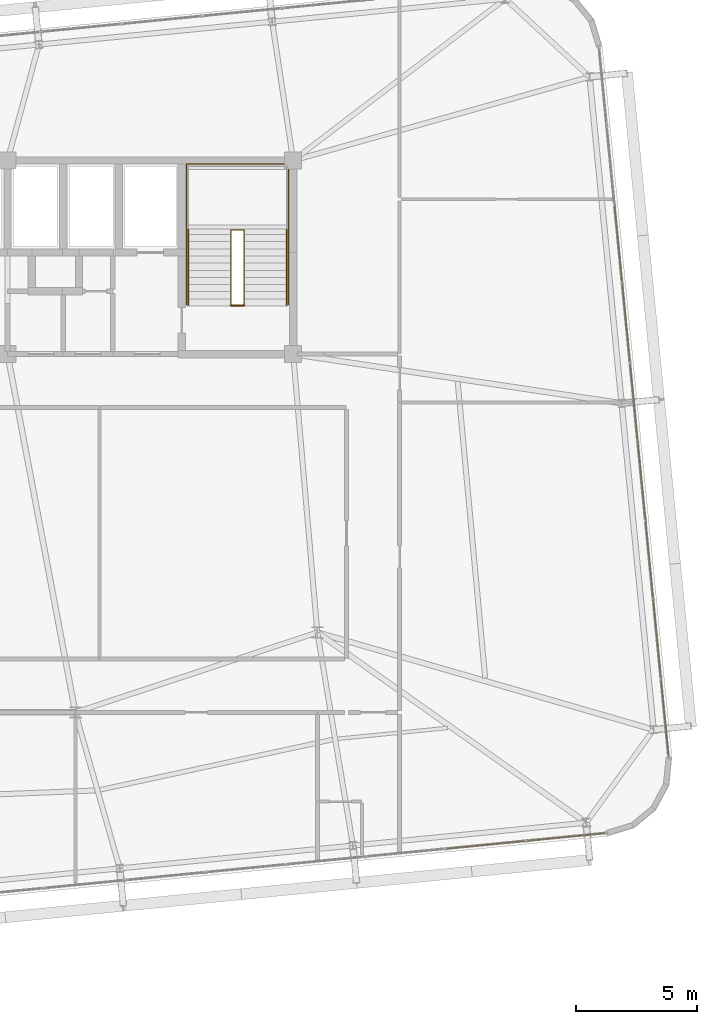
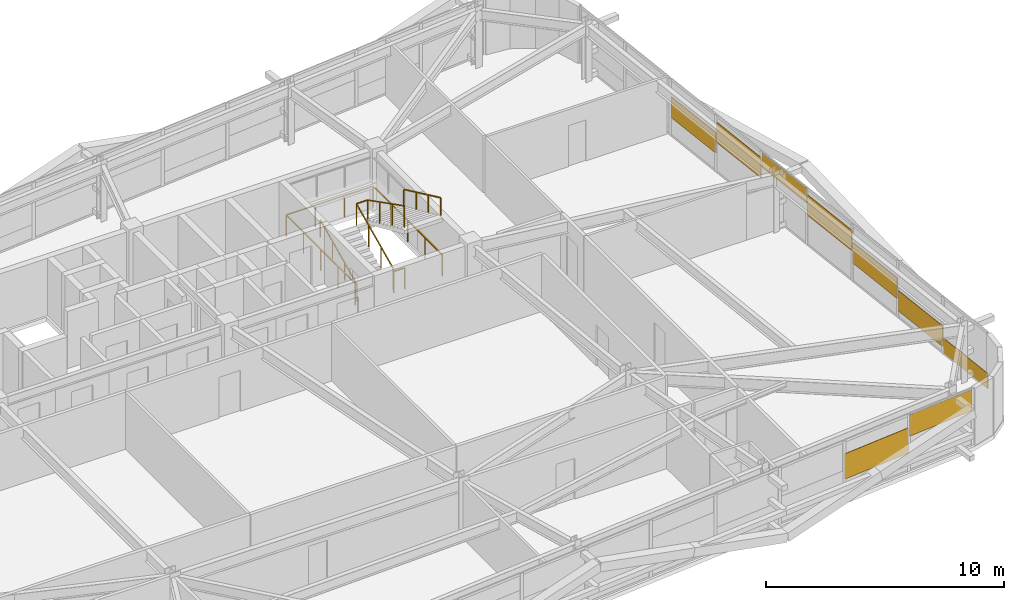
# One storey, part 52 of 53: 9 coverings, 5 railings.
"""IFC4 building model written with IfcOpenShell, lengths in metres."""

from ifc_helpers import new_model, si_unit, direction, frame, origin, origin_2d, place, context, subcontext, project, spatial, rectangle, extrude, source, transform, mapped, material, layer, layer_set, type_object, element, save


model = new_model("IFC4")

# Units and contexts
model_context = context("Model", 3, precision=1e-05, world=origin(), true_north=direction((0.0, 1.0)))
body_context = subcontext(model_context, "Body", "Model", "MODEL_VIEW")
ifc_project = project(units=[si_unit("LENGTHUNIT", "METRE"), si_unit("AREAUNIT", "SQUARE_METRE"), si_unit("VOLUMEUNIT", "CUBIC_METRE"), si_unit("PLANEANGLEUNIT", "RADIAN"), si_unit("MASSUNIT", "GRAM", prefix="KILO")], contexts=[model_context])

# Site, building, storey
site_placement = place(None, origin())
site = spatial("IfcSite", under=ifc_project, at=site_placement, CompositionType="ELEMENT")
building_placement = place(site_placement, origin())
building = spatial("IfcBuilding", under=site, at=building_placement, Name="Taldren Reach Tower", CompositionType="ELEMENT")
storey_placement = place(building_placement, frame((0.0, 0.0, 80.85009765625)))
storey = spatial("IfcBuildingStorey", under=building, at=storey_placement, Name="L24", CompositionType="ELEMENT", Elevation=80.85009765625)

# Railings
ifc_material_1 = material(Name="Steel Gr 350 (C350L0)", Category="steel")
ifc_layer_1 = layer(ifc_material_1, 0.050048828125)
ifc_layer_set_1 = layer_set([ifc_layer_1], Name="Steel Gr 350 (C350L0)")
railing_type_1 = type_object("IfcRailingType", Name="RL-STAIR-GR", PredefinedType="GUARDRAIL", material=ifc_layer_set_1)
railing_1_placement = place(storey_placement, frame((48.429931640625, 26.050048828125, 0.131103515625)))
element("IfcRailing", 1, at=railing_1_placement, inside=storey, type_object=railing_type_1, Name="Stairwell inner guard ST2-L24", PredefinedType="GUARDRAIL", context=body_context, shape_type="SweptSolid", body=[
    extrude(rectangle(XDim=0.047852, YDim=0.047852, at=origin_2d()), frame((0.0, 0.0, 1.09619140625), z_axis=(0.0, 0.905710134349, 0.423897573167), x_axis=(-1.0, 0.0, 0.0)), (0.0, 0.0, 1.0), 3.406005859375),
    extrude(rectangle(XDim=0.047852, YDim=0.047852, at=origin_2d()), frame((0.0, 3.0849609375, 2.5400390625), z_axis=(1.0, 0.0, 0.0), x_axis=(0.0, 1.0, 0.0)), (0.0, 0.0, 1.0), 0.5400390625),
    extrude(rectangle(XDim=0.047852, YDim=0.047852, at=origin_2d()), frame((0.5400390625, 3.0849609375, 2.5400390625), z_axis=(0.0, -0.890645957773, 0.45469745755), x_axis=(1.0, 0.0, 0.0)), (0.0, 0.0, 1.0), 3.463623046875),
    extrude(rectangle(XDim=0.041992, YDim=0.041992, at=origin_2d()), origin(), (0.0, 0.0, 1.0), 1.072021484375),
    extrude(rectangle(XDim=0.041992, YDim=0.041992, at=origin_2d()), frame((0.0, 1.0283203125, 0.481201171875)), (0.0, 0.0, 1.0), 1.072021484375),
    extrude(rectangle(XDim=0.041992, YDim=0.041992, at=origin_2d()), frame((0.0, 2.056640625, 0.962646484375)), (0.0, 0.0, 1.0), 1.072021484375),
    extrude(rectangle(XDim=0.041992, YDim=0.041992, at=origin_2d()), frame((0.0, 3.0849609375, 1.44384765625)), (0.0, 0.0, 1.0), 1.072021484375),
    extrude(rectangle(XDim=0.041992, YDim=0.041992, at=origin_2d()), frame((0.5400390625, 3.0849609375, 1.44384765625)), (0.0, 0.0, 1.0), 1.072021484375),
    extrude(rectangle(XDim=0.041992, YDim=0.041992, at=origin_2d()), frame((0.5400390625, 2.056640625, 1.96875)), (0.0, 0.0, 1.0), 1.072021484375),
    extrude(rectangle(XDim=0.041992, YDim=0.041992, at=origin_2d()), frame((0.5400390625, 1.0283203125, 2.493896484375)), (0.0, 0.0, 1.0), 1.072021484375),
    extrude(rectangle(XDim=0.041992, YDim=0.041992, at=origin_2d()), frame((0.5400390625, 0.0, 3.018798828125)), (0.0, 0.0, 1.0), 1.072021484375),
])
railing_2_placement = place(storey_placement, frame((48.429931640625, 26.010009765625, 0.0)))
element("IfcRailing", 2, at=railing_2_placement, inside=storey, type_object=railing_type_1, Name="Stairwell landing slot guard ST2-L24", PredefinedType="GUARDRAIL", context=body_context, shape_type="SweptSolid", body=[
    extrude(rectangle(XDim=0.047852, YDim=0.047852, at=origin_2d()), frame((0.0, 0.0, 1.09619140625), z_axis=(1.0, 0.0, 0.0), x_axis=(0.0, 1.0, 0.0)), (0.0, 0.0, 1.0), 0.5400390625),
    extrude(rectangle(XDim=0.041992, YDim=0.041992, at=origin_2d()), origin(), (0.0, 0.0, 1.0), 1.072021484375),
    extrude(rectangle(XDim=0.041992, YDim=0.041992, at=origin_2d()), frame((0.5400390625, 0.0, 0.0)), (0.0, 0.0, 1.0), 1.072021484375),
])
railing_3_placement = place(storey_placement, frame((46.590087890625, 26.050048828125, 0.0)))
element("IfcRailing", 3, at=railing_3_placement, inside=storey, type_object=railing_type_1, Name="Stairwell floor opening guard ST2-L24", PredefinedType="GUARDRAIL", context=body_context, shape_type="SweptSolid", body=[
    extrude(rectangle(XDim=0.047852, YDim=0.047852, at=origin_2d()), frame((0.0, 0.0, 1.09619140625), z_axis=(0.0, 1.0, 0.0), x_axis=(-1.0, 0.0, 0.0)), (0.0, 0.0, 1.0), 5.800048828125),
    extrude(rectangle(XDim=0.047852, YDim=0.047852, at=origin_2d()), frame((0.0, 5.800048828125, 1.09619140625), z_axis=(1.0, 0.0, 0.0), x_axis=(0.0, 1.0, 0.0)), (0.0, 0.0, 1.0), 4.219970703125),
    extrude(rectangle(XDim=0.047852, YDim=0.047852, at=origin_2d()), frame((4.219970703125, 5.800048828125, 1.09619140625), z_axis=(0.0, -1.0, 0.0), x_axis=(1.0, 0.0, 0.0)), (0.0, 0.0, 1.0), 5.800048828125),
    extrude(rectangle(XDim=0.041992, YDim=0.041992, at=origin_2d()), origin(), (0.0, 0.0, 1.0), 1.072021484375),
    extrude(rectangle(XDim=0.041992, YDim=0.041992, at=origin_2d()), frame((0.0, 1.449951171875, 0.0)), (0.0, 0.0, 1.0), 1.072021484375),
    extrude(rectangle(XDim=0.041992, YDim=0.041992, at=origin_2d()), frame((0.0, 2.89990234375, 0.0)), (0.0, 0.0, 1.0), 1.072021484375),
    extrude(rectangle(XDim=0.041992, YDim=0.041992, at=origin_2d()), frame((0.0, 4.35009765625, 0.0)), (0.0, 0.0, 1.0), 1.072021484375),
    extrude(rectangle(XDim=0.041992, YDim=0.041992, at=origin_2d()), frame((0.0, 5.800048828125, 0.0)), (0.0, 0.0, 1.0), 1.072021484375),
    extrude(rectangle(XDim=0.041992, YDim=0.041992, at=origin_2d()), frame((1.40673828125, 5.800048828125, 0.0)), (0.0, 0.0, 1.0), 1.072021484375),
    extrude(rectangle(XDim=0.041992, YDim=0.041992, at=origin_2d()), frame((2.813232421875, 5.800048828125, 0.0)), (0.0, 0.0, 1.0), 1.072021484375),
    extrude(rectangle(XDim=0.041992, YDim=0.041992, at=origin_2d()), frame((4.219970703125, 5.800048828125, 0.0)), (0.0, 0.0, 1.0), 1.072021484375),
    extrude(rectangle(XDim=0.041992, YDim=0.041992, at=origin_2d()), frame((4.219970703125, 4.35009765625, 0.0)), (0.0, 0.0, 1.0), 1.072021484375),
    extrude(rectangle(XDim=0.041992, YDim=0.041992, at=origin_2d()), frame((4.219970703125, 2.89990234375, 0.0)), (0.0, 0.0, 1.0), 1.072021484375),
    extrude(rectangle(XDim=0.041992, YDim=0.041992, at=origin_2d()), frame((4.219970703125, 1.449951171875, 0.0)), (0.0, 0.0, 1.0), 1.072021484375),
    extrude(rectangle(XDim=0.041992, YDim=0.041992, at=origin_2d()), frame((4.219970703125, 0.0, 0.0)), (0.0, 0.0, 1.0), 1.072021484375),
])
ifc_material_2 = material(Name="Stainless Steel Gr 316", Category="steel")
ifc_layer_2 = layer(ifc_material_2, 0.048095703125)
ifc_layer_set_2 = layer_set([ifc_layer_2], Name="Stainless Steel Gr 316")
railing_type_2 = type_object("IfcRailingType", Name="RL-STAIR-HR", PredefinedType="HANDRAIL", material=ifc_layer_set_2)
railing_4_placement = place(storey_placement, frame((46.669921875, 26.050048828125, 0.131103515625)))
element("IfcRailing", 4, at=railing_4_placement, inside=storey, type_object=railing_type_2, Name="Stair flight handrail ST2-L24-1", PredefinedType="HANDRAIL", context=body_context, shape_type="SweptSolid", body=[
    extrude(rectangle(XDim=0.047852, YDim=0.047852, at=origin_2d()), frame((0.0, 0.0, 0.89599609375), z_axis=(0.0, 0.905710134349, 0.423897573167), x_axis=(-1.0, 0.0, 0.0)), (0.0, 0.0, 1.0), 3.406005859375),
    extrude(rectangle(XDim=0.041992, YDim=0.041992, at=origin_2d()), origin(), (0.0, 0.0, 1.0), 0.871826171875),
    extrude(rectangle(XDim=0.041992, YDim=0.041992, at=origin_2d()), frame((0.0, 1.0283203125, 0.481201171875)), (0.0, 0.0, 1.0), 0.871826171875),
    extrude(rectangle(XDim=0.041992, YDim=0.041992, at=origin_2d()), frame((0.0, 2.056640625, 0.962646484375)), (0.0, 0.0, 1.0), 0.871826171875),
    extrude(rectangle(XDim=0.041992, YDim=0.041992, at=origin_2d()), frame((0.0, 3.0849609375, 1.44384765625)), (0.0, 0.0, 1.0), 0.871826171875),
])
railing_5_placement = place(storey_placement, frame((50.72998046875, 29.135009765625, 1.7060546875)))
element("IfcRailing", 5, at=railing_5_placement, inside=storey, type_object=railing_type_2, Name="Stair flight handrail ST2-L24-2", PredefinedType="HANDRAIL", context=body_context, shape_type="SweptSolid", body=[
    extrude(rectangle(XDim=0.047852, YDim=0.047852, at=origin_2d()), frame((0.0, 0.0, 0.89599609375), z_axis=(0.0, -0.905710134349, 0.423897573167), x_axis=(1.0, 0.0, 0.0)), (0.0, 0.0, 1.0), 3.406005859375),
    extrude(rectangle(XDim=0.041992, YDim=0.041992, at=origin_2d()), origin(), (0.0, 0.0, 1.0), 0.871826171875),
    extrude(rectangle(XDim=0.041992, YDim=0.041992, at=origin_2d()), frame((0.0, -1.0283203125, 0.481201171875)), (0.0, 0.0, 1.0), 0.871826171875),
    extrude(rectangle(XDim=0.041992, YDim=0.041992, at=origin_2d()), frame((0.0, -2.056640625, 0.962646484375)), (0.0, 0.0, 1.0), 0.871826171875),
    extrude(rectangle(XDim=0.041992, YDim=0.041992, at=origin_2d()), frame((0.0, -3.0849609375, 1.44384765625)), (0.0, 0.0, 1.0), 0.871826171875),
])

# Coverings
ifc_material_3 = material(Name="Pale Champagne Fluoropolymer Aluminium Spandrel Cladding", Category="aluminium")
ifc_layer_3 = layer(ifc_material_3, 0.0439453125)
ifc_layer_set_3 = layer_set([ifc_layer_3], Name="Pale Champagne Fluoropolymer Aluminium Spandrel Cladding")
covering_type = type_object("IfcCoveringType", Name="CV-CLAD-044", PredefinedType="CLADDING", material=ifc_layer_set_3)
shared_shape_1 = source(origin(), body_context, "Body", "SweptSolid", [
    extrude(rectangle(XDim=3.23583984375, YDim=0.0439453125, at=origin_2d()), origin(), (0.0, 0.0, 1.0), 1.094970703125),
])
covering_1_placement = place(storey_placement, frame((62.274169921875, 4.04931640625, 1.77978515625), z_axis=(0.0, 0.0, 1.0), x_axis=(0.995227390247, 0.097582999046, 0.0)))
element("IfcCovering", 6, at=covering_1_placement, inside=storey, type_object=covering_type, Name="Diagrid closure cladding strip CW-3 panel 15.1 1", PredefinedType="CLADDING", context=body_context, shape_type="MappedRepresentation", body=[
    mapped(shared_shape_1, transform((0.0, 0.0, 0.0), scale=1.0)),
])
shared_shape_2 = source(origin(), body_context, "Body", "SweptSolid", [
    extrude(rectangle(XDim=3.268310546875, YDim=0.0439453125, at=origin_2d()), origin(), (0.0, 0.0, 1.0), 1.3046875),
])
covering_2_placement = place(storey_placement, frame((58.972900390625, 3.7255859375, 0.943115234375), z_axis=(0.0, 0.0, 1.0), x_axis=(0.995227390247, 0.097582999046, 0.0)))
element("IfcCovering", 7, at=covering_2_placement, inside=storey, type_object=covering_type, Name="Diagrid closure cladding strip CW-3 panel 14.1 1", PredefinedType="CLADDING", context=body_context, shape_type="MappedRepresentation", body=[
    mapped(shared_shape_2, transform((0.0, 0.0, 0.0), scale=1.0)),
])
shared_shape_3 = source(origin(), body_context, "Body", "SweptSolid", [
    extrude(rectangle(XDim=3.212890625, YDim=0.0439453125, at=origin_2d()), origin(), (0.0, 0.0, 1.0), 1.053466796875),
])
for number, where, z_axis, x_axis, name in (
    (8, (66.03662109375, 12.232177734375, 0.35986328125), (0.0, 0.0, 1.0), (-0.09758274098, 0.99522741555, 0.0), "Diagrid closure cladding strip CW-3 panel 2.1 1"),
    (9, (65.716796875, 15.494384765625, 0.94775390625), (0.0, 0.0, 1.0), (-0.09758274098, 0.99522741555, 0.0), "Diagrid closure cladding strip CW-3 panel 3.1 1"),
    (10, (65.39697265625, 18.756591796875, 1.53515625), (0.0, 0.0, 1.0), (-0.09758274098, 0.99522741555, 0.0), "Diagrid closure cladding strip CW-3 panel 4.1 1"),
    (11, (64.757080078125, 25.28076171875, 1.53515625), (0.0, 0.0, 1.0), (-0.09758274098, 0.99522741555, 0.0), "Diagrid closure cladding strip CW-3 panel 6.1 1"),
    (12, (64.437255859375, 28.54296875, 0.94775390625), (0.0, 0.0, 1.0), (-0.09758274098, 0.99522741555, 0.0), "Diagrid closure cladding strip CW-3 panel 7.1 1"),
):
    element("IfcCovering", number, at=place(storey_placement, frame(where, z_axis=z_axis, x_axis=x_axis)), inside=storey, type_object=covering_type, Name=name, PredefinedType="CLADDING", context=body_context, shape_type="MappedRepresentation", body=[
        mapped(shared_shape_3, transform((0.0, 0.0, 0.0), scale=1.0)),
    ])
shared_shape_4 = source(origin(), body_context, "Body", "SweptSolid", [
    extrude(rectangle(XDim=3.18017578125, YDim=0.0439453125, at=origin_2d()), origin(), (0.0, 0.0, 1.0), 0.7705078125),
])
covering_3_placement = place(storey_placement, frame((66.35498046875, 8.986328125, 0.054931640625), z_axis=(0.0, 0.0, 1.0), x_axis=(-0.09758274098, 0.99522741555, 0.0)))
element("IfcCovering", 13, at=covering_3_placement, inside=storey, type_object=covering_type, Name="Diagrid closure cladding strip CW-3 panel 1.1 1", PredefinedType="CLADDING", context=body_context, shape_type="MappedRepresentation", body=[
    mapped(shared_shape_4, transform((0.0, 0.0, 0.0), scale=1.0)),
])
shared_shape_5 = source(origin(), body_context, "Body", "SweptSolid", [
    extrude(rectangle(XDim=3.212890625, YDim=0.0439453125, at=origin_2d()), origin(), (0.0, 0.0, 1.0), 0.751708984375),
])
covering_4_placement = place(storey_placement, frame((65.0771484375, 22.0185546875, 2.123046875), z_axis=(0.0, 0.0, 1.0), x_axis=(-0.09758274098, 0.99522741555, 0.0)))
element("IfcCovering", 14, at=covering_4_placement, inside=storey, type_object=covering_type, Name="Diagrid closure cladding strip CW-3 panel 5.1 1", PredefinedType="CLADDING", context=body_context, shape_type="MappedRepresentation", body=[
    mapped(shared_shape_5, transform((0.0, 0.0, 0.0), scale=1.0)),
])

save(model, "model.ifc")
